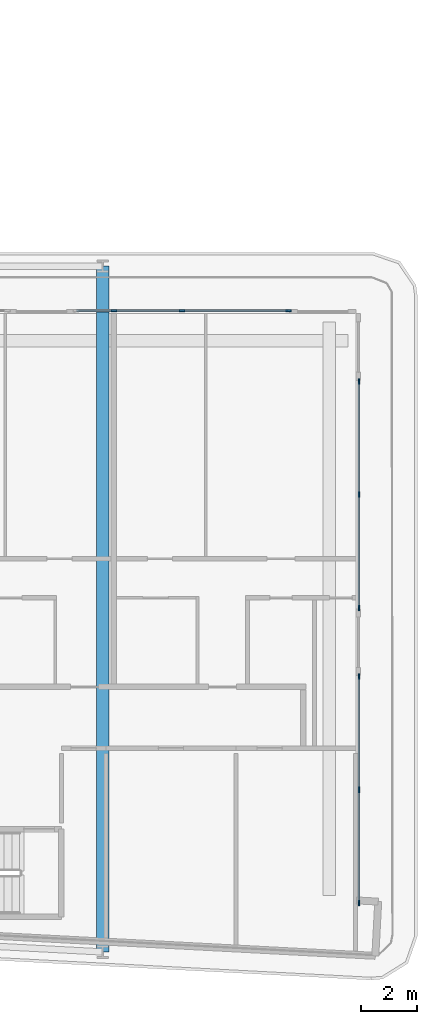
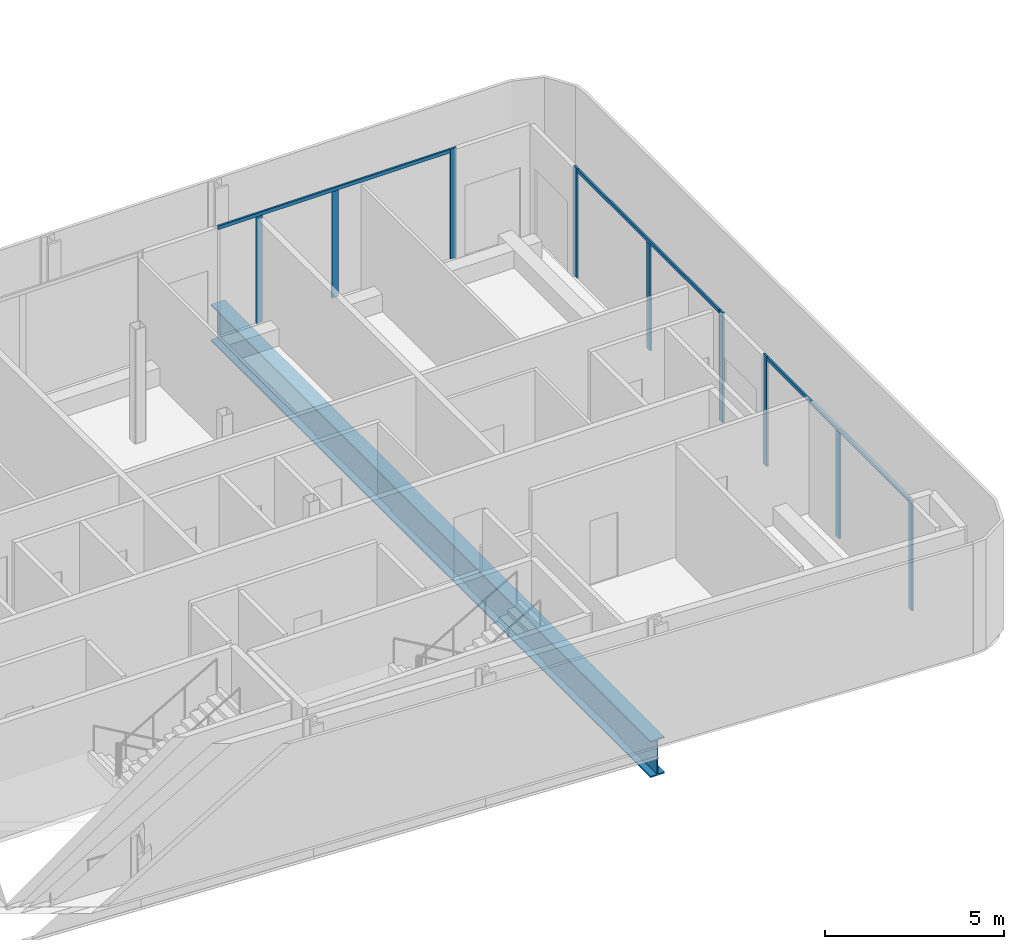
# One storey, part 8 of 28: 12 members, 1 beam, 3 elements without a shape of their own.
"""IFC4 building model written with IfcOpenShell, lengths in metres."""

import ifcopenshell
import ifcopenshell.guid

model = None  # the IFC model being written
_history = None  # IfcOwnerHistory: only IFC2X3 demands one
_inside = {}  # id of a spatial element -> (the spatial element, [elements in it])
_under = {}  # id of a project, library or spatial element -> (it, [spatial elements below it])
_declared = {}  # id of a project -> (the project, [libraries it declares])
_typed = {}  # id of a type object -> (the type object, [elements of that type])
_made_of = {}  # id of a material, layer set ... -> (it, [elements and type objects made of it])


def new_model(schema):
    """Start an empty IFC model of exactly this schema.

    Asked for "IFC4X3", IfcOpenShell would pick the latest addendum, in which some entities
    have other attributes; the version numbers below select the first issue.
    IFC2X3 requires an IfcOwnerHistory on every rooted entity: one is made here for all.
    """
    global model, _history
    if schema == "IFC4X3":
        model = ifcopenshell.file(schema_version=(4, 3, 0, 0))
    else:
        model = ifcopenshell.file(schema=schema)
    _inside.clear()
    _under.clear()
    _declared.clear()
    _typed.clear()
    _made_of.clear()
    _history = None
    if model.schema == "IFC2X3":
        org = make("IfcOrganization", Name="unknown")
        user = make(
            "IfcPersonAndOrganization",
            ThePerson=make("IfcPerson", FamilyName="unknown"),
            TheOrganization=org,
        )
        app = make(
            "IfcApplication",
            ApplicationDeveloper=org,
            Version="unknown",
            ApplicationFullName="unknown",
            ApplicationIdentifier="unknown",
        )
        _history = make(
            "IfcOwnerHistory",
            OwningUser=user,
            OwningApplication=app,
            ChangeAction="ADDED",
            CreationDate=0,
        )
    return model


def make(cls, **values):
    """One entity of the class cls with the attributes given. An attribute that is None is left unset."""
    return model.create_entity(
        cls, **{name: value for name, value in values.items() if value is not None}
    )


def rooted(cls, **values):
    """An entity with a GlobalId (a new one), such as an element, a storey or a relation."""
    return make(cls, GlobalId=ifcopenshell.guid.new(), OwnerHistory=_history, **values)


def si_unit(unit_type, name, prefix=None):
    """IfcSIUnit, for example si_unit("LENGTHUNIT", "METRE", prefix="MILLI")."""
    return make("IfcSIUnit", UnitType=unit_type, Prefix=prefix, Name=name)


def assignment(units):
    """IfcUnitAssignment: the units of a project."""
    return None if units is None else make("IfcUnitAssignment", Units=units)


def point(xyz):
    """IfcCartesianPoint."""
    return None if xyz is None else make("IfcCartesianPoint", Coordinates=xyz)


def direction(xyz):
    """IfcDirection."""
    return None if xyz is None else make("IfcDirection", DirectionRatios=xyz)


def frame(location, z_axis=None, x_axis=None):
    """IfcAxis2Placement3D, a coordinate frame: its origin and axes. An axis left out is left unset."""
    return make(
        "IfcAxis2Placement3D",
        Location=point(location),
        Axis=direction(z_axis),
        RefDirection=direction(x_axis),
    )


def frame_2d(location, x_axis=None):
    """IfcAxis2Placement2D, a coordinate frame in the plane: its origin and x axis."""
    return make(
        "IfcAxis2Placement2D", Location=point(location), RefDirection=direction(x_axis)
    )


def origin():
    """The frame at (0, 0, 0) with its axes left unset."""
    return frame((0.0, 0.0, 0.0))


def origin_2d():
    """The frame at (0, 0) in the plane with its x axis left unset."""
    return frame_2d((0.0, 0.0))


def place(relative_to, where):
    """IfcLocalPlacement: puts the frame where relative to a parent placement (None: the world)."""
    return make(
        "IfcLocalPlacement", PlacementRelTo=relative_to, RelativePlacement=where
    )


def context(
    kind, dimensions, precision=None, world=None, true_north=None, identifier=None
):
    """IfcGeometricRepresentationContext, for example the 3D "Model" context."""
    return make(
        "IfcGeometricRepresentationContext",
        ContextIdentifier=identifier,
        ContextType=kind,
        CoordinateSpaceDimension=dimensions,
        Precision=precision,
        WorldCoordinateSystem=world,
        TrueNorth=true_north,
    )


def subcontext(parent, identifier, kind, view, scale=None):
    """IfcGeometricRepresentationSubContext, for example "Body" below "Model"."""
    return make(
        "IfcGeometricRepresentationSubContext",
        ContextIdentifier=identifier,
        ContextType=kind,
        ParentContext=parent,
        TargetScale=scale,
        TargetView=view,
    )


def project(units=None, contexts=None):
    """IfcProject with its units and contexts."""
    return rooted(
        "IfcProject",
        Name="project",
        RepresentationContexts=contexts,
        UnitsInContext=assignment(units),
    )


def spatial(cls, under=None, at=None, **own):
    """A site, building, storey or space (cls), placed at a placement, below another one or the project."""
    s = rooted(cls, ObjectPlacement=at, **own)
    if under is not None:
        _under.setdefault(under.id(), (under, []))[1].append(s)
    return s


def profile(cls, at=None, kind="AREA", **sizes):
    """A parametric profile (cls). Its sizes go by their IFC names, for example OverallWidth=200.0."""
    return make(cls, ProfileType=kind, Position=at, **sizes)


def rectangle(**sizes):
    """IfcRectangleProfileDef."""
    return profile("IfcRectangleProfileDef", **sizes)


def i_section(**sizes):
    """IfcIShapeProfileDef."""
    return profile("IfcIShapeProfileDef", **sizes)


def extrude(swept, where, along, depth):
    """IfcExtrudedAreaSolid: the profile swept, set in the frame where, extruded along a direction by depth."""
    return make(
        "IfcExtrudedAreaSolid",
        SweptArea=swept,
        Position=where,
        ExtrudedDirection=direction(along),
        Depth=depth,
    )


def shape(context_of_items, identifier, shape_type, items):
    """IfcShapeRepresentation: the items that make up one representation, for example the "Body"."""
    return make(
        "IfcShapeRepresentation",
        ContextOfItems=context_of_items,
        RepresentationIdentifier=identifier,
        RepresentationType=shape_type,
        Items=items,
    )


def material(Name=None, Category=None):
    """IfcMaterial."""
    return make("IfcMaterial", Name=Name, Category=Category)


def layer(
    of_material, thickness, ventilated=None, Name=None, Category=None, Priority=None
):
    """IfcMaterialLayer: one layer of a wall or slab, of a material (None: an air gap)."""
    return make(
        "IfcMaterialLayer",
        Material=of_material,
        LayerThickness=thickness,
        IsVentilated=ventilated,
        Name=Name,
        Category=Category,
        Priority=Priority,
    )


def layer_set(layers, Name=None):
    """IfcMaterialLayerSet."""
    return make("IfcMaterialLayerSet", MaterialLayers=layers, LayerSetName=Name)


def material_profile(
    of_material, cross_section, Name=None, Category=None, Priority=None
):
    """IfcMaterialProfile: a cross section and its material."""
    return make(
        "IfcMaterialProfile",
        Name=Name,
        Material=of_material,
        Profile=cross_section,
        Priority=Priority,
        Category=Category,
    )


def profile_set(profiles, Name=None, composite=None):
    """IfcMaterialProfileSet."""
    return make(
        "IfcMaterialProfileSet",
        Name=Name,
        MaterialProfiles=profiles,
        CompositeProfile=composite,
    )


def made_of(thing, what):
    """Note that an element or type object is made of a material, layer set ...; save() writes the relation."""
    if what is not None:
        _made_of.setdefault(what.id(), (what, []))[1].append(thing)
    return thing


def type_object(cls, material=None, **own):
    """A type object (cls), such as IfcWallType, which elements share."""
    return made_of(rooted(cls, **own), material)


def element(
    cls,
    number,
    at=None,
    inside=None,
    cuts=None,
    type_object=None,
    material=None,
    context=None,
    identifier="Body",
    shape_type=None,
    held_by="IfcProductDefinitionShape",
    body=None,
    shapes=None,
    **own,
):
    """One element of the class cls, such as IfcWall. Its Tag is "e" and its number.

    at: its placement. inside: the storey or other place that contains it. cuts: it is an
    opening in that element (IfcRelVoidsElement). A single representation is given by context,
    identifier, shape_type and body (its items); several are given by shapes. held_by: the class
    of the entity that holds the representations. save() writes the other relations.
    """
    e = rooted(cls, Tag="e%d" % number, ObjectPlacement=at, **own)
    if body is not None:
        shapes = [shape(context, identifier, shape_type, body)]
    if shapes is not None:
        e.Representation = make(held_by, Representations=shapes)
    if inside is not None:
        _inside.setdefault(inside.id(), (inside, []))[1].append(e)
    if cuts is not None:
        rooted(
            "IfcRelVoidsElement", RelatingBuildingElement=cuts, RelatedOpeningElement=e
        )
    if type_object is not None:
        _typed.setdefault(type_object.id(), (type_object, []))[1].append(e)
    return made_of(e, material)


def aggregate(whole, parts):
    """IfcRelAggregates: a whole, such as a stair, and the parts it consists of."""
    return rooted("IfcRelAggregates", RelatingObject=whole, RelatedObjects=parts)


def save(model, path):
    """Write the relations noted so far, then the file.

    IfcRelAggregates (storeys below a building ...), IfcRelContainedInSpatialStructure (elements
    in a storey), IfcRelDefinesByType, IfcRelAssociatesMaterial and IfcRelDeclares: one each for
    every whole, place, type object, material and project.
    """
    for whole, parts in _under.values():
        aggregate(whole, parts)
    for where, things in _inside.values():
        rooted(
            "IfcRelContainedInSpatialStructure",
            RelatedElements=things,
            RelatingStructure=where,
        )
    for kind, things in _typed.values():
        rooted("IfcRelDefinesByType", RelatedObjects=things, RelatingType=kind)
    for what, things in _made_of.values():
        rooted("IfcRelAssociatesMaterial", RelatedObjects=things, RelatingMaterial=what)
    for by, libraries in _declared.values():
        rooted("IfcRelDeclares", RelatingContext=by, RelatedDefinitions=libraries)
    model.write(path)


model = new_model("IFC4")

# Units and contexts
model_context = context("Model", 3, precision=1e-05, world=origin(), true_north=direction((0.0, 1.0)))
body_context = subcontext(model_context, "Body", "Model", "MODEL_VIEW")
ifc_project = project(units=[si_unit("LENGTHUNIT", "METRE"), si_unit("AREAUNIT", "SQUARE_METRE"), si_unit("VOLUMEUNIT", "CUBIC_METRE"), si_unit("PLANEANGLEUNIT", "RADIAN"), si_unit("MASSUNIT", "GRAM", prefix="KILO")], contexts=[model_context])

# Site, building, storey
site_placement = place(None, origin())
site = spatial("IfcSite", under=ifc_project, at=site_placement, CompositionType="ELEMENT")
building_placement = place(site_placement, origin())
building = spatial("IfcBuilding", under=site, at=building_placement, Name="Kheshtan School and Residences Tower", CompositionType="ELEMENT")
storey_placement = place(building_placement, frame((0.0, 0.0, 133.10009765625)))
storey = spatial("IfcBuildingStorey", under=building, at=storey_placement, Name="L31", CompositionType="ELEMENT", Elevation=133.10009765625)

# Curtain wall, members
ifc_material_1 = material(Name="Clear low-e glass in thermally broken aluminium frame", Category="aluminium")
ifc_layer = layer(ifc_material_1, 0.199951171875)
ifc_layer_set = layer_set([ifc_layer], Name="Curtain wall CW-L")
curtain_wall_type = type_object("IfcCurtainWallType", Name="Curtain wall CW-L", PredefinedType="NOTDEFINED", material=ifc_layer_set)
curtain_wall_1_placement = place(storey_placement, origin())
curtain_wall_1 = element("IfcCurtainWall", 1, at=curtain_wall_1_placement, inside=storey, type_object=curtain_wall_type, Name="Curtain wall CWL12k", PredefinedType="NOTDEFINED")
ifc_material_2 = material(Name="Thermally broken aluminium, dark bronze anodised", Category="aluminium")
ifc_material_profile_1 = material_profile(ifc_material_2, rectangle(XDim=0.06005859375, YDim=0.199951171875, at=origin_2d()), Name="CW-L mullion 60x200")
ifc_profile_set_1 = profile_set([ifc_material_profile_1], Name="Thermally broken aluminium, dark bronze anodised")
member_type_1 = type_object("IfcMemberType", Name="CW-L mullion 60x200", PredefinedType="MULLION", material=ifc_profile_set_1)
member_1_placement = place(storey_placement, frame((91.199951171875, 44.0, 0.0), z_axis=(0.0, 0.0, 1.0), x_axis=(0.0, 1.0, 0.0)))
member_1 = element("IfcMember", 2, at=member_1_placement, type_object=member_type_1, Name="CWL12k mullion 2", PredefinedType="MULLION", context=body_context, shape_type="SweptSolid", body=[
    extrude(rectangle(XDim=0.06005859375, YDim=0.199951171875, at=origin_2d()), origin(), (0.0, 0.0, 1.0), 3.6298828125),
])
member_2_placement = place(storey_placement, frame((93.653076171875, 44.0, 0.0), z_axis=(0.0, 0.0, 1.0), x_axis=(0.0, 1.0, 0.0)))
member_2 = element("IfcMember", 3, at=member_2_placement, type_object=member_type_1, Name="CWL12k mullion 3", PredefinedType="MULLION", context=body_context, shape_type="SweptSolid", body=[
    extrude(rectangle(XDim=0.06005859375, YDim=0.199951171875, at=origin_2d()), origin(), (0.0, 0.0, 1.0), 3.6298828125),
])
member_3_placement = place(storey_placement, frame((97.469970703125, 44.0, 0.0), z_axis=(0.0, 0.0, 1.0), x_axis=(0.0, 1.0, 0.0)))
member_3 = element("IfcMember", 4, at=member_3_placement, type_object=member_type_1, Name="CWL12k mullion 4", PredefinedType="MULLION", context=body_context, shape_type="SweptSolid", body=[
    extrude(rectangle(XDim=0.06005859375, YDim=0.199951171875, at=origin_2d()), origin(), (0.0, 0.0, 1.0), 3.75),
])

curtain_wall_2_placement = place(storey_placement, origin())
curtain_wall_2 = element("IfcCurtainWall", 5, at=curtain_wall_2_placement, inside=storey, type_object=curtain_wall_type, Name="Curtain wall CWL13b", PredefinedType="NOTDEFINED")
member_4_placement = place(storey_placement, frame((100.0, 41.469970703125, 0.0), z_axis=(0.0, 0.0, 1.0), x_axis=(1.0, 0.0, 0.0)))
member_4 = element("IfcMember", 6, at=member_4_placement, type_object=member_type_1, Name="CWL13b mullion 1", PredefinedType="MULLION", context=body_context, shape_type="SweptSolid", body=[
    extrude(rectangle(XDim=0.06005859375, YDim=0.199951171875, at=origin_2d()), origin(), (0.0, 0.0, 1.0), 3.75),
])
member_5_placement = place(storey_placement, frame((100.0, 37.403564453125, 0.0), z_axis=(0.0, 0.0, 1.0), x_axis=(1.0, 0.0, 0.0)))
member_5 = element("IfcMember", 7, at=member_5_placement, type_object=member_type_1, Name="CWL13b mullion 2", PredefinedType="MULLION", context=body_context, shape_type="SweptSolid", body=[
    extrude(rectangle(XDim=0.06005859375, YDim=0.199951171875, at=origin_2d()), origin(), (0.0, 0.0, 1.0), 3.6298828125),
])
member_6_placement = place(storey_placement, frame((100.0, 33.3369140625, 0.0), z_axis=(0.0, 0.0, 1.0), x_axis=(1.0, 0.0, 0.0)))
member_6 = element("IfcMember", 8, at=member_6_placement, type_object=member_type_1, Name="CWL13b mullion 3", PredefinedType="MULLION", context=body_context, shape_type="SweptSolid", body=[
    extrude(rectangle(XDim=0.06005859375, YDim=0.199951171875, at=origin_2d()), origin(), (0.0, 0.0, 1.0), 3.75),
])

curtain_wall_3_placement = place(storey_placement, origin())
curtain_wall_3 = element("IfcCurtainWall", 9, at=curtain_wall_3_placement, inside=storey, type_object=curtain_wall_type, Name="Curtain wall CWL13b", PredefinedType="NOTDEFINED")
member_7_placement = place(storey_placement, frame((100.0, 30.876953125, 0.0), z_axis=(0.0, 0.0, 1.0), x_axis=(1.0, 0.0, 0.0)))
member_7 = element("IfcMember", 10, at=member_7_placement, type_object=member_type_1, Name="CWL13b mullion 1", PredefinedType="MULLION", context=body_context, shape_type="SweptSolid", body=[
    extrude(rectangle(XDim=0.06005859375, YDim=0.199951171875, at=origin_2d()), origin(), (0.0, 0.0, 1.0), 3.75),
])
member_8_placement = place(storey_placement, frame((100.0, 26.810546875, 0.0), z_axis=(0.0, 0.0, 1.0), x_axis=(1.0, 0.0, 0.0)))
member_8 = element("IfcMember", 11, at=member_8_placement, type_object=member_type_1, Name="CWL13b mullion 2", PredefinedType="MULLION", context=body_context, shape_type="SweptSolid", body=[
    extrude(rectangle(XDim=0.06005859375, YDim=0.199951171875, at=origin_2d()), origin(), (0.0, 0.0, 1.0), 3.6298828125),
])
member_9_placement = place(storey_placement, frame((100.0, 22.743896484375, 0.0), z_axis=(0.0, 0.0, 1.0), x_axis=(1.0, 0.0, 0.0)))
member_9 = element("IfcMember", 12, at=member_9_placement, type_object=member_type_1, Name="CWL13b mullion 3", PredefinedType="MULLION", context=body_context, shape_type="SweptSolid", body=[
    extrude(rectangle(XDim=0.06005859375, YDim=0.199951171875, at=origin_2d()), origin(), (0.0, 0.0, 1.0), 3.75),
])

# Member
ifc_material_profile_2 = material_profile(ifc_material_2, rectangle(XDim=0.06005859375, YDim=0.1201171875, at=origin_2d()), Name="CW-L transom 60x120")
ifc_profile_set_2 = profile_set([ifc_material_profile_2], Name="Thermally broken aluminium, dark bronze anodised")
member_type_2 = type_object("IfcMemberType", Name="CW-L transom 60x120", PredefinedType="USERDEFINED", material=ifc_profile_set_2)
member_10_placement = place(storey_placement, frame((89.865966796875, 44.0, 3.68994140625), z_axis=(1.0, 0.0, 0.0), x_axis=(0.0, 1.0, 0.0)))
member_10 = element("IfcMember", 13, at=member_10_placement, type_object=member_type_2, Name="CWL12k transom 1", ObjectType="TRANSOM", PredefinedType="USERDEFINED", context=body_context, shape_type="SweptSolid", body=[
    extrude(rectangle(XDim=0.06005859375, YDim=0.1201171875, at=origin_2d()), origin(), (0.0, 0.0, 1.0), 7.573974609375),
])

aggregate(curtain_wall_1, [member_1, member_2, member_3, member_10])

member_11_placement = place(storey_placement, frame((100.0, 41.43994140625, 3.68994140625), z_axis=(0.0, -1.0, 0.0), x_axis=(1.0, 0.0, 0.0)))
member_11 = element("IfcMember", 14, at=member_11_placement, type_object=member_type_2, Name="CWL13b transom 1", ObjectType="TRANSOM", PredefinedType="USERDEFINED", context=body_context, shape_type="SweptSolid", body=[
    extrude(rectangle(XDim=0.06005859375, YDim=0.1201171875, at=origin_2d()), origin(), (0.0, 0.0, 1.0), 8.072998046875),
])

aggregate(curtain_wall_2, [member_4, member_5, member_6, member_11])

member_12_placement = place(storey_placement, frame((100.0, 30.846923828125, 3.68994140625), z_axis=(0.0, -1.0, 0.0), x_axis=(1.0, 0.0, 0.0)))
member_12 = element("IfcMember", 15, at=member_12_placement, type_object=member_type_2, Name="CWL13b transom 1", ObjectType="TRANSOM", PredefinedType="USERDEFINED", context=body_context, shape_type="SweptSolid", body=[
    extrude(rectangle(XDim=0.06005859375, YDim=0.1201171875, at=origin_2d()), origin(), (0.0, 0.0, 1.0), 8.072998046875),
])

aggregate(curtain_wall_3, [member_7, member_8, member_9, member_12])

# Beam
ifc_material_3 = material(Name="Steel ASTM A992 Grade 50", Category="steel")
ifc_material_profile_3 = material_profile(ifc_material_3, i_section(OverallWidth=0.449951171875, OverallDepth=1.25, WebThickness=0.02490234375, FlangeThickness=0.044921875, FilletRadius=0.03759765625, at=origin_2d()), Name="WWF1250x546")
ifc_profile_set_3 = profile_set([ifc_material_profile_3], Name="Steel ASTM A992 Grade 50")
beam_type = type_object("IfcBeamType", Name="Transfer girder TG4 WWF1250x546 ASTM A992 Grade 50", PredefinedType="BEAM", material=ifc_profile_set_3)
beam_placement = place(storey_placement, frame((90.800048828125, 45.60009765625, -0.775146484375), z_axis=(0.0, -1.0, 0.0), x_axis=(1.0, 0.0, 0.0)))
element("IfcBeam", 16, at=beam_placement, inside=storey, type_object=beam_type, Name="Transfer girder C068-C006", PredefinedType="BEAM", context=body_context, shape_type="SweptSolid", body=[
    extrude(i_section(OverallWidth=0.449951171875, OverallDepth=1.25, WebThickness=0.02490234375, FlangeThickness=0.044921875, FilletRadius=0.03759765625, at=origin_2d()), origin(), (0.0, 0.0, 1.0), 24.610107421875),
])

save(model, "model.ifc")
